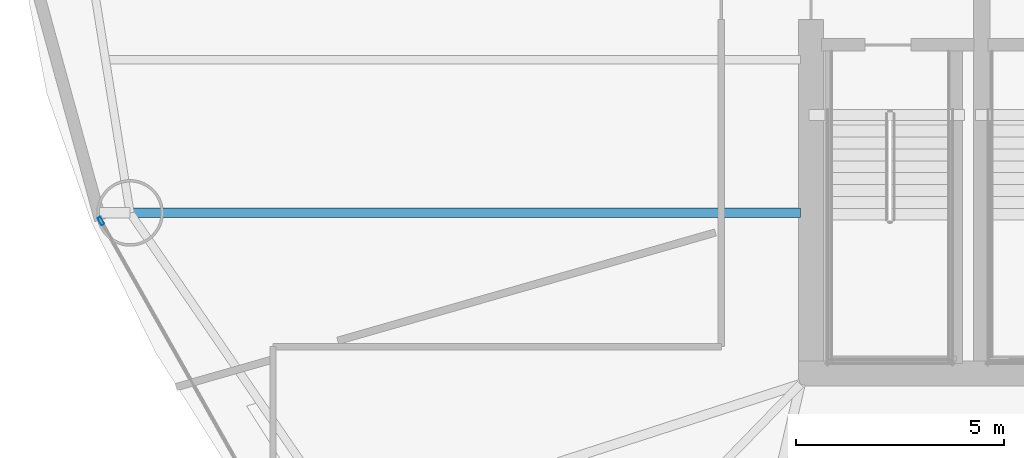
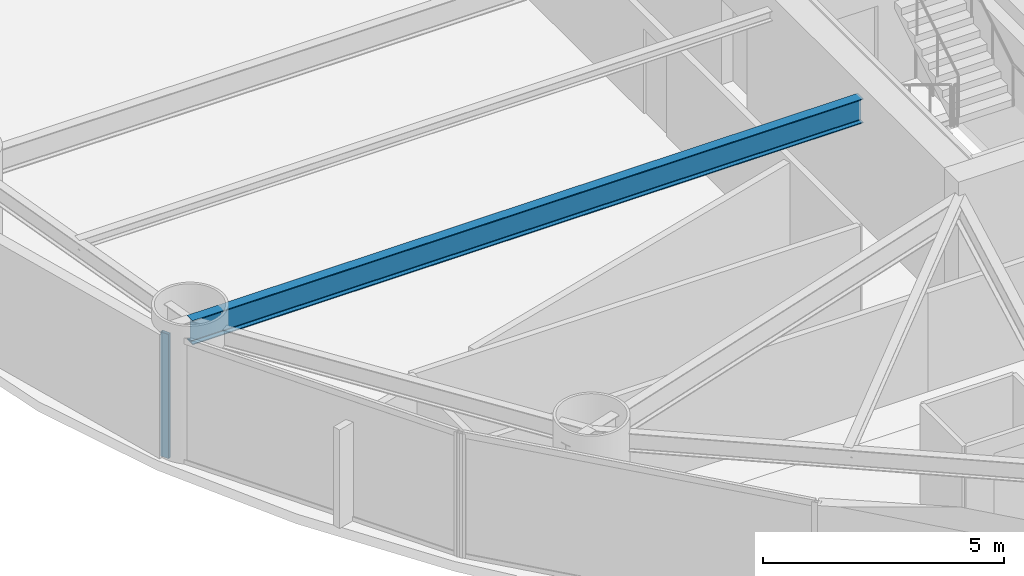
# One storey, part 4 of 25: 1 beam, 1 member, 1 element without a shape of its own.
"""IFC4 building model written with IfcOpenShell, lengths in metres."""

from ifc_helpers import new_model, si_unit, direction, frame, origin, origin_2d, place, context, subcontext, project, spatial, hollow_rectangle, i_section, extrude, material, layer, layer_set, material_profile, profile_set, type_object, element, aggregate, save


model = new_model("IFC4")

# Units and contexts
model_context = context("Model", 3, precision=1e-05, world=origin(), true_north=direction((0.0, 1.0)))
body_context = subcontext(model_context, "Body", "Model", "MODEL_VIEW")
ifc_project = project(units=[si_unit("LENGTHUNIT", "METRE"), si_unit("AREAUNIT", "SQUARE_METRE"), si_unit("VOLUMEUNIT", "CUBIC_METRE"), si_unit("PLANEANGLEUNIT", "RADIAN"), si_unit("MASSUNIT", "GRAM", prefix="KILO")], contexts=[model_context])

# Site, building, storey
site_placement = place(None, origin())
site = spatial("IfcSite", under=ifc_project, at=site_placement, CompositionType="ELEMENT")
building_placement = place(site_placement, origin())
building = spatial("IfcBuilding", under=site, at=building_placement, Name="Bramvorn Convention Spire", CompositionType="ELEMENT")
storey_placement = place(building_placement, frame((0.0, 0.0, 93.89990234375)))
storey = spatial("IfcBuildingStorey", under=building, at=storey_placement, Name="L22", CompositionType="ELEMENT", Elevation=93.89990234375)

# Beam
ifc_material_1 = material(Name="Steel CSA G40.21 Grade 350 (350W)", Category="steel")
ifc_material_profile_1 = material_profile(ifc_material_1, i_section(OverallWidth=0.22998046875, OverallDepth=0.616943359375, WebThickness=0.01318359375, FlangeThickness=0.022216796875, FilletRadius=0.02001953125, at=origin_2d()))
ifc_profile_set_1 = profile_set([ifc_material_profile_1], Name="Steel CSA G40.21 Grade 350 (350W) - W610X140")
beam_type = type_object("IfcBeamType", Name="BM-W610X140", PredefinedType="BEAM", material=ifc_profile_set_1)
beam_placement = place(storey_placement, frame((26.75, 22.659912109375, 2.841552734375), z_axis=(-1.0, 0.0, 0.0), x_axis=(0.0, -1.0, 0.0)))
element("IfcBeam", 1, at=beam_placement, inside=storey, type_object=beam_type, Name="L22 radial floor girder MC10", PredefinedType="BEAM", context=body_context, shape_type="SweptSolid", body=[
    extrude(i_section(OverallWidth=0.22998046875, OverallDepth=0.616943359375, WebThickness=0.01318359375, FlangeThickness=0.022216796875, FilletRadius=0.02001953125, at=origin_2d()), origin(), (0.0, 0.0, 1.0), 16.088623046875),
])

# Curtain wall, member
ifc_material_2 = material(Name="Anodised Bronze Unitised Curtain Wall", Category="aluminium")
ifc_layer = layer(ifc_material_2, 0.179931640625)
ifc_layer_set = layer_set([ifc_layer], Name="Anodised Bronze Unitised Curtain Wall - CW-HTL-FRIT")
curtain_wall_type = type_object("IfcCurtainWallType", Name="CW-HTL-FRIT", PredefinedType="USERDEFINED", material=ifc_layer_set)
curtain_wall_placement = place(storey_placement, origin())
curtain_wall = element("IfcCurtainWall", 2, at=curtain_wall_placement, inside=storey, type_object=curtain_wall_type, Name="L22 fritted glass curtain wall 15", ObjectType="UNITISED CURTAIN WALL", PredefinedType="USERDEFINED")
ifc_material_3 = material(Name="Anodised Bronze Aluminium 6063-T6", Category="aluminium")
ifc_material_profile_2 = material_profile(ifc_material_3, hollow_rectangle(XDim=0.080078125, YDim=0.199951171875, WallThickness=0.00390625, InnerFilletRadius=0.0009765625, OuterFilletRadius=0.00390625, at=origin_2d()))
ifc_profile_set_2 = profile_set([ifc_material_profile_2], Name="Anodised Bronze Aluminium 6063-T6 - CWM80X200")
member_type = type_object("IfcMemberType", Name="CW-MUL-180", PredefinedType="MULLION", material=ifc_profile_set_2)
member_placement = place(storey_placement, frame((9.9638671875, 22.46337890625, 0.0), z_axis=(0.0, 0.0, 1.0), x_axis=(-0.870901341503, -0.491457885651, 0.0)))
member = element("IfcMember", 3, at=member_placement, type_object=member_type, Name="CW2 mullion 2", PredefinedType="MULLION", context=body_context, shape_type="SweptSolid", body=[
    extrude(hollow_rectangle(XDim=0.080078125, YDim=0.199951171875, WallThickness=0.00390625, InnerFilletRadius=0.0009765625, OuterFilletRadius=0.00390625, at=origin_2d()), origin(), (0.0, 0.0, 1.0), 3.150146484375),
])
aggregate(curtain_wall, [member])

save(model, "model.ifc")
